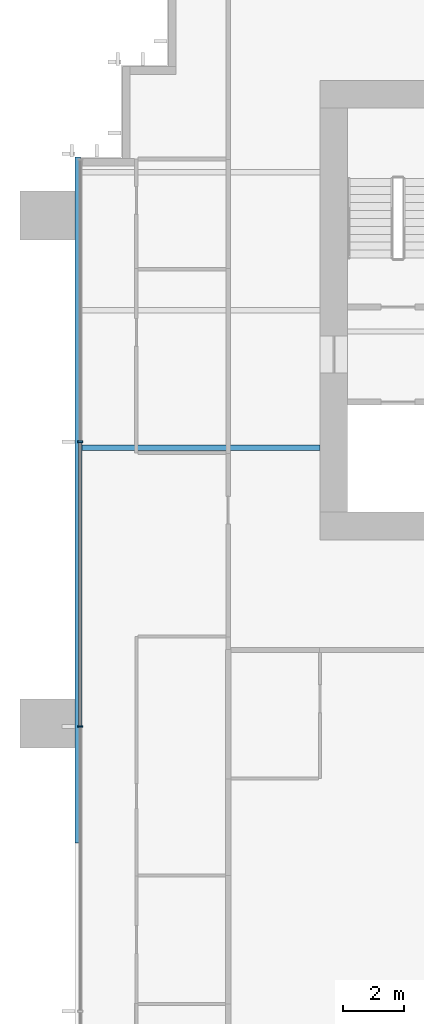
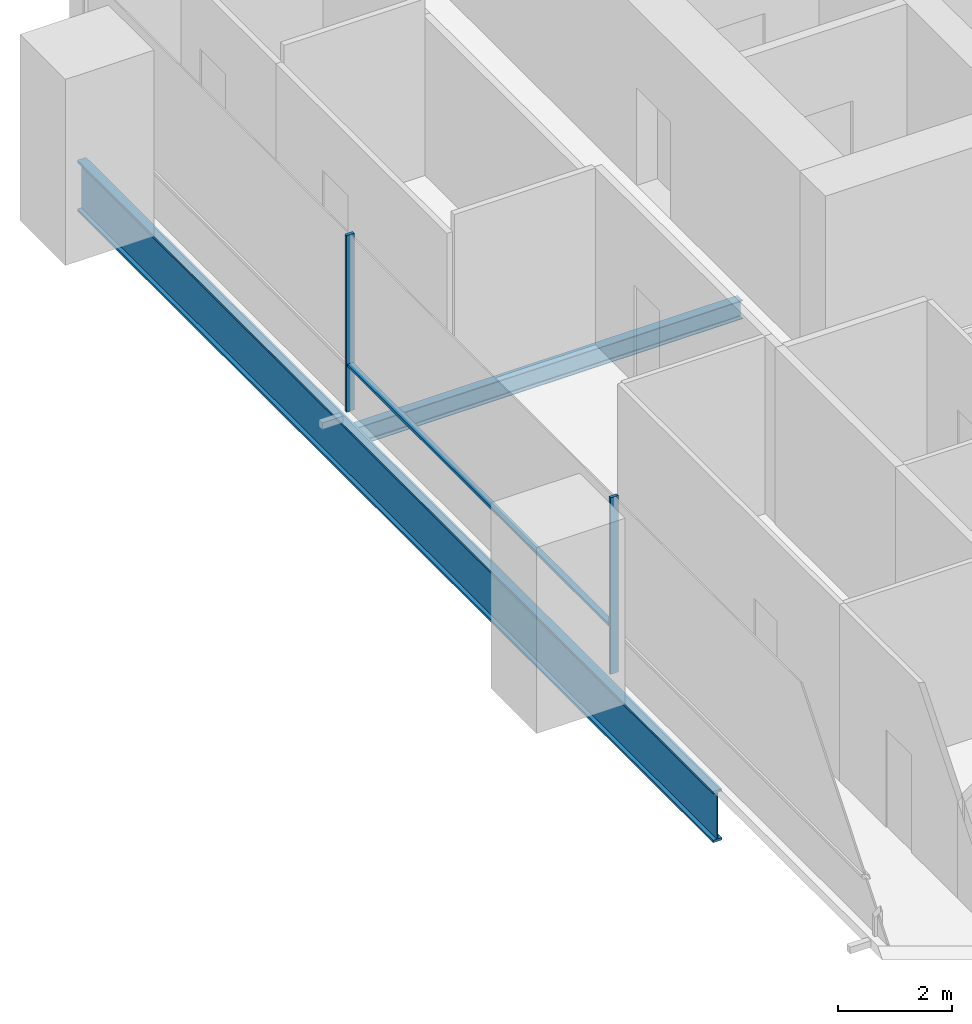
# One storey, part 4 of 17: 3 members, 2 beams, 1 element without a shape of its own.
"""IFC4 building model written with IfcOpenShell, lengths in metres."""

from ifc_helpers import new_model, si_unit, direction, frame, origin, origin_2d, place, context, subcontext, project, spatial, rectangle, i_section, extrude, material, material_profile, profile_set, type_object, element, aggregate, save


model = new_model("IFC4")

# Units and contexts
model_context = context("Model", 3, precision=1e-05, world=origin(), true_north=direction((0.0, 1.0)))
body_context = subcontext(model_context, "Body", "Model", "MODEL_VIEW")
ifc_project = project(units=[si_unit("LENGTHUNIT", "METRE"), si_unit("AREAUNIT", "SQUARE_METRE"), si_unit("VOLUMEUNIT", "CUBIC_METRE"), si_unit("PLANEANGLEUNIT", "RADIAN"), si_unit("MASSUNIT", "GRAM", prefix="KILO")], contexts=[model_context])

# Site, building, storey
site_placement = place(None, origin())
site = spatial("IfcSite", under=ifc_project, at=site_placement, CompositionType="ELEMENT")
building_placement = place(site_placement, origin())
building = spatial("IfcBuilding", under=site, at=building_placement, Name="Rattan Terrace Tower", CompositionType="ELEMENT")
storey_placement = place(building_placement, frame((0.0, 0.0, 83.699951171875)))
storey = spatial("IfcBuildingStorey", under=building, at=storey_placement, Name="L18", CompositionType="ELEMENT", Elevation=83.699951171875)

# Curtain wall, members
ifc_material_1 = material(Name="Aluminium and glass", Category="aluminium")
curtain_wall_type = type_object("IfcCurtainWallType", Name="Facade Unitised Curtain Wall", PredefinedType="NOTDEFINED", material=ifc_material_1)
curtain_wall_placement = place(storey_placement, origin())
curtain_wall = element("IfcCurtainWall", 1, at=curtain_wall_placement, inside=storey, type_object=curtain_wall_type, Name="Curtain wall L18-3", PredefinedType="NOTDEFINED")
ifc_material_2 = material(Name="Aluminium", Category="aluminium")
ifc_material_profile_1 = material_profile(ifc_material_2, rectangle(XDim=0.06005859375, YDim=0.159912109375, at=origin_2d()), Name="Aluminium 60x160")
ifc_profile_set_1 = profile_set([ifc_material_profile_1], Name="Aluminium")
member_type_1 = type_object("IfcMemberType", Name="Facade CW Mullion 60x160", PredefinedType="MULLION", material=ifc_profile_set_1)
member_1_placement = place(storey_placement, frame((-25.830078125, -4.300048828125, 0.0), z_axis=(0.0, 0.0, 1.0), x_axis=(0.0, -1.0, 0.0)))
member_1 = element("IfcMember", 2, at=member_1_placement, type_object=member_type_1, Name="Mullion cwl-L18-003.2", PredefinedType="MULLION", context=body_context, shape_type="SweptSolid", body=[
    extrude(rectangle(XDim=0.06005859375, YDim=0.159912109375, at=origin_2d()), origin(), (0.0, 0.0, 1.0), 3.800048828125),
])
member_2_placement = place(storey_placement, frame((-25.830078125, -13.60009765625, 0.0), z_axis=(0.0, 0.0, 1.0), x_axis=(0.0, -1.0, 0.0)))
member_2 = element("IfcMember", 3, at=member_2_placement, type_object=member_type_1, Name="Mullion cwl-L18-003.3", PredefinedType="MULLION", context=body_context, shape_type="SweptSolid", body=[
    extrude(rectangle(XDim=0.06005859375, YDim=0.159912109375, at=origin_2d()), origin(), (0.0, 0.0, 1.0), 3.800048828125),
])
ifc_material_3 = material(Name="Aluminium", Category="aluminium")
ifc_material_profile_2 = material_profile(ifc_material_3, rectangle(XDim=0.1201171875, YDim=0.06005859375, at=origin_2d()), Name="Aluminium 120x60")
ifc_profile_set_2 = profile_set([ifc_material_profile_2], Name="Aluminium")
member_type_2 = type_object("IfcMemberType", Name="Facade CW Transom 120x60", PredefinedType="USERDEFINED", material=ifc_profile_set_2)
member_3_placement = place(storey_placement, frame((-25.830078125, -4.330078125, 1.0), z_axis=(0.0, -1.0, 0.0), x_axis=(1.0, 0.0, 0.0)))
member_3 = element("IfcMember", 4, at=member_3_placement, type_object=member_type_2, Name="Transom cwl-L18-003.2", ObjectType="TRANSOM", PredefinedType="USERDEFINED", context=body_context, shape_type="SweptSolid", body=[
    extrude(rectangle(XDim=0.1201171875, YDim=0.06005859375, at=origin_2d()), origin(), (0.0, 0.0, 1.0), 9.239990234375),
])
aggregate(curtain_wall, [member_1, member_2, member_3])

# Beams
ifc_material_4 = material(Name="Steel S460", Category="steel")
ifc_material_profile_3 = material_profile(ifc_material_4, i_section(OverallWidth=0.179931640625, OverallDepth=1.10009765625, WebThickness=0.01611328125, FlangeThickness=0.050048828125, at=origin_2d()), Name="PG 1100x180-16-50")
ifc_profile_set_3 = profile_set([ifc_material_profile_3], Name="Steel S460")
beam_type_1 = type_object("IfcBeamType", Name="Frame edge girder PG 1100x180-16-50", PredefinedType="SPANDREL", material=ifc_profile_set_3)
beam_1_placement = place(storey_placement, frame((-25.909912109375, -17.39990234375, -0.75), z_axis=(0.0, 1.0, 0.0), x_axis=(-1.0, 0.0, 0.0)))
element("IfcBeam", 5, at=beam_1_placement, inside=storey, type_object=beam_type_1, Name="gdr-L18-004", PredefinedType="SPANDREL", context=body_context, shape_type="SweptSolid", body=[
    extrude(i_section(OverallWidth=0.179931640625, OverallDepth=1.10009765625, WebThickness=0.01611328125, FlangeThickness=0.050048828125, at=origin_2d()), origin(), (0.0, 0.0, 1.0), 22.39990234375),
])
ifc_material_5 = material(Name="Steel S355", Category="steel")
ifc_material_profile_4 = material_profile(ifc_material_5, i_section(OverallWidth=0.179931640625, OverallDepth=0.39990234375, WebThickness=0.008544921875, FlangeThickness=0.013427734375, FilletRadius=0.02099609375, at=origin_2d()), Name="IPE 400")
ifc_profile_set_4 = profile_set([ifc_material_profile_4], Name="Steel S355")
beam_type_2 = type_object("IfcBeamType", Name="Frame floor beam IPE 400", PredefinedType="JOIST", material=ifc_profile_set_4)
beam_2_placement = place(storey_placement, frame((-25.820068359375, -4.5, -0.39990234375), z_axis=(1.0, 0.0, 0.0), x_axis=(0.0, 1.0, 0.0)))
element("IfcBeam", 6, at=beam_2_placement, inside=storey, type_object=beam_type_2, Name="bm-L18-012", PredefinedType="JOIST", context=body_context, shape_type="SweptSolid", body=[
    extrude(i_section(OverallWidth=0.179931640625, OverallDepth=0.39990234375, WebThickness=0.008544921875, FlangeThickness=0.013427734375, FilletRadius=0.02099609375, at=origin_2d()), origin(), (0.0, 0.0, 1.0), 7.820068359375),
])

save(model, "model.ifc")
